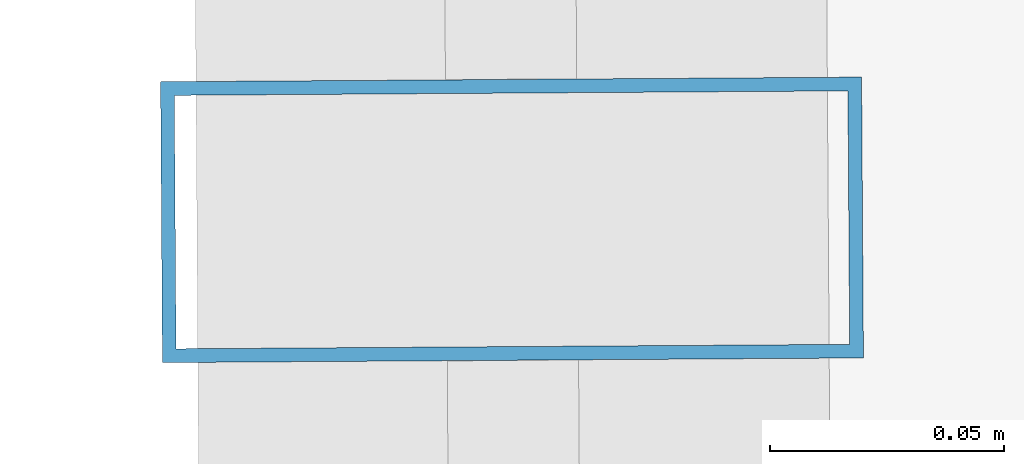
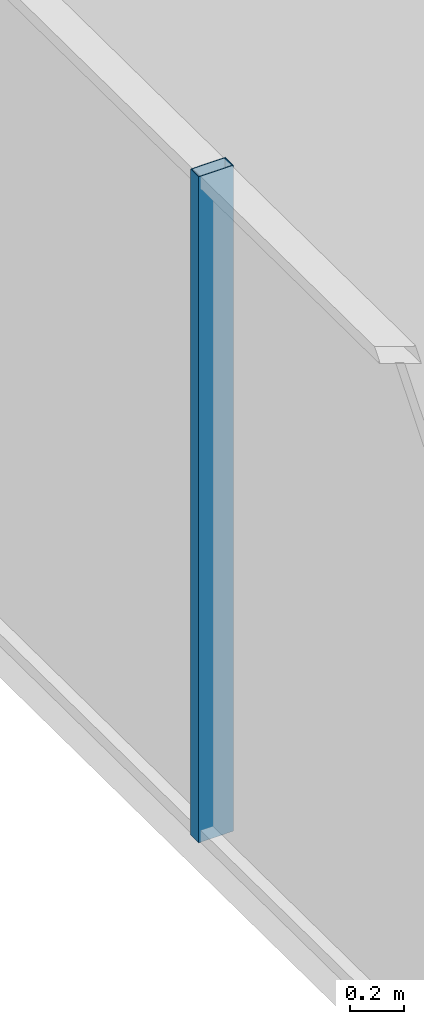
# One storey, part 11 of 31: 1 member, 1 element without a shape of its own.
"""IFC4 building model written with IfcOpenShell, lengths in metres."""

from ifc_helpers import new_model, si_unit, direction, frame, origin, origin_2d, place, context, subcontext, project, spatial, hollow_rectangle, extrude, source, transform, mapped, material, layer, layer_set, material_profile, profile_set, type_object, element, aggregate, save


model = new_model("IFC4")

# Units and contexts
model_context = context("Model", 3, precision=1e-05, world=origin(), true_north=direction((0.0, 1.0)))
body_context = subcontext(model_context, "Body", "Model", "MODEL_VIEW")
ifc_project = project(units=[si_unit("LENGTHUNIT", "METRE"), si_unit("AREAUNIT", "SQUARE_METRE"), si_unit("VOLUMEUNIT", "CUBIC_METRE"), si_unit("PLANEANGLEUNIT", "RADIAN"), si_unit("MASSUNIT", "GRAM", prefix="KILO")], contexts=[model_context])

# Site, building, storey
site_placement = place(None, origin())
site = spatial("IfcSite", under=ifc_project, at=site_placement, CompositionType="ELEMENT")
building_placement = place(site_placement, origin())
building = spatial("IfcBuilding", under=site, at=building_placement, Name="Veraguas Prism Commons", CompositionType="ELEMENT")
storey_placement = place(building_placement, frame((0.0, 0.0, 204.85009765625)))
storey = spatial("IfcBuildingStorey", under=building, at=storey_placement, Name="L58", CompositionType="ELEMENT", Elevation=204.85009765625)

# Curtain wall, member
ifc_material = material(Name="Anodised aluminium EN AW-6063 T6", Category="aluminium")
ifc_layer = layer(ifc_material, 0.14990234375, Name="Unitised Flush Curtain Wall Zone 3", Category="aluminium")
ifc_layer_set = layer_set([ifc_layer], Name="Anodised aluminium EN AW-6063 T6")
curtain_wall_type = type_object("IfcCurtainWallType", Name="Unitised Flush Curtain Wall Zone 3", PredefinedType="NOTDEFINED", material=ifc_layer_set)
curtain_wall_placement = place(storey_placement, origin())
curtain_wall = element("IfcCurtainWall", 1, at=curtain_wall_placement, inside=storey, type_object=curtain_wall_type, Name="Tower Facade Curtain Wall L58-F3", PredefinedType="NOTDEFINED")
ifc_material_profile = material_profile(ifc_material, hollow_rectangle(XDim=0.06005859375, YDim=0.14990234375, WallThickness=0.0029296875, at=origin_2d()), Name="AL60X150X3")
ifc_profile_set = profile_set([ifc_material_profile], Name="Anodised aluminium EN AW-6063 T6")
member_type = type_object("IfcMemberType", Name="Curtain Wall Mullion Upper AL 60x150x3", PredefinedType="MULLION", material=ifc_profile_set)
shared_shape = source(origin(), body_context, "Body", "SweptSolid", [
    extrude(hollow_rectangle(XDim=0.06005859375, YDim=0.14990234375, WallThickness=0.0029296875, at=origin_2d()), origin(), (0.0, 0.0, 1.0), 3.014892578125),
])
member_placement = place(storey_placement, frame((6.2900390625, 23.882568359375, 0.0), z_axis=(0.0, 0.0, 1.0), x_axis=(0.006633947827, -0.999977995126, 0.0)))
member = element("IfcMember", 2, at=member_placement, type_object=member_type, Name="CW-Z3 Mullion 3", PredefinedType="MULLION", context=body_context, shape_type="MappedRepresentation", body=[
    mapped(shared_shape, transform((0.0, 0.0, 0.0), scale=1.0)),
])
aggregate(curtain_wall, [member])

save(model, "model.ifc")
